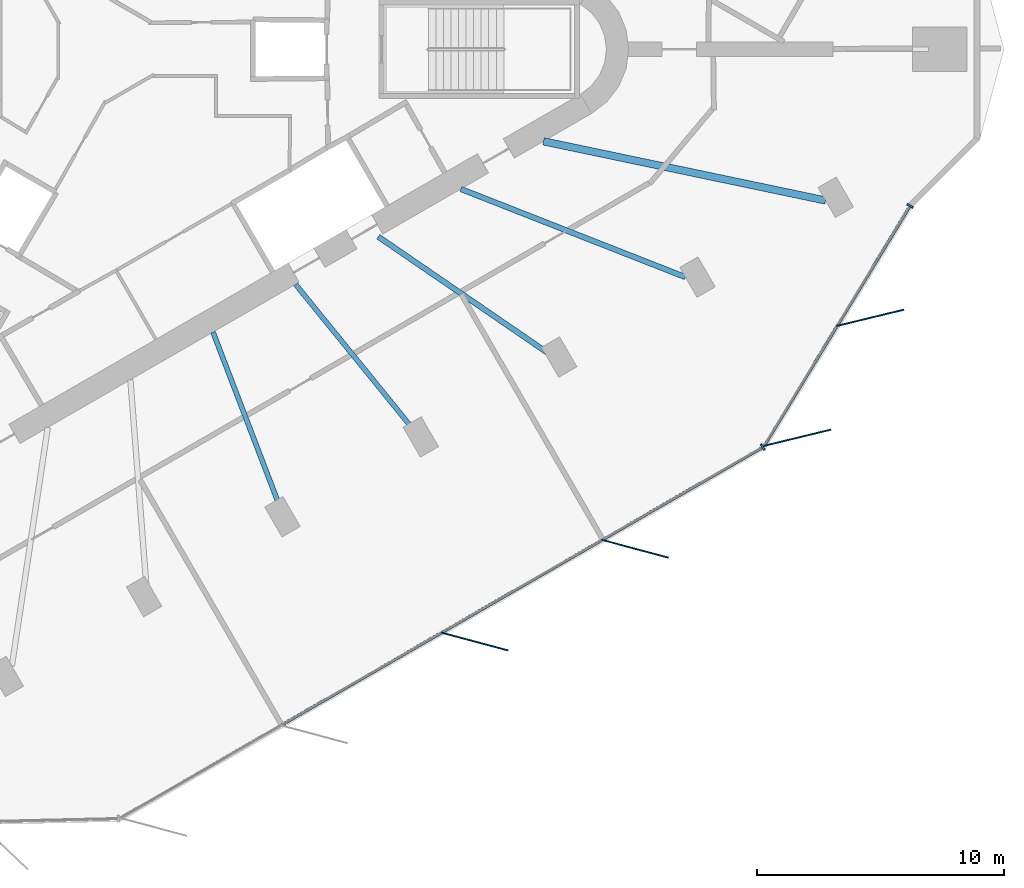
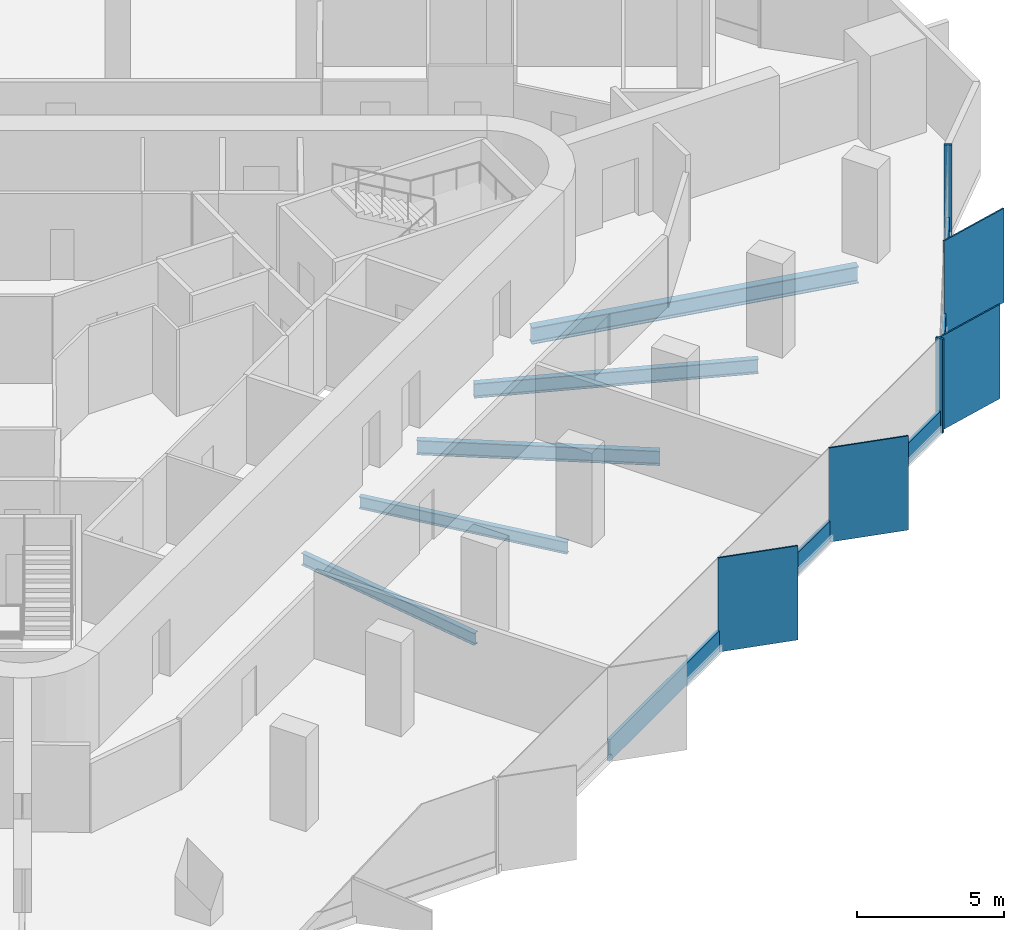
# One storey, part 3 of 12: 11 members, 5 beams, 2 elements without a shape of their own.
"""IFC4 building model written with IfcOpenShell, lengths in metres."""

from ifc_helpers import new_model, si_unit, direction, frame, origin, origin_2d, place, context, subcontext, project, spatial, rectangle, i_section, extrude, material, material_profile, profile_set, type_object, element, aggregate, save


model = new_model("IFC4")

# Units and contexts
model_context = context("Model", 3, precision=1e-05, world=origin(), true_north=direction((0.0, 1.0)))
body_context = subcontext(model_context, "Body", "Model", "MODEL_VIEW")
ifc_project = project(units=[si_unit("LENGTHUNIT", "METRE"), si_unit("AREAUNIT", "SQUARE_METRE"), si_unit("VOLUMEUNIT", "CUBIC_METRE"), si_unit("PLANEANGLEUNIT", "RADIAN"), si_unit("MASSUNIT", "GRAM", prefix="KILO")], contexts=[model_context])

# Site, building, storey
site_placement = place(None, origin())
site = spatial("IfcSite", under=ifc_project, at=site_placement, CompositionType="ELEMENT")
building_placement = place(site_placement, origin())
building = spatial("IfcBuilding", under=site, at=building_placement, Name="Tanit Gate Tower", CompositionType="ELEMENT")
storey_placement = place(building_placement, frame((0.0, 0.0, 333.800048828125)))
storey = spatial("IfcBuildingStorey", under=building, at=storey_placement, Name="L75", CompositionType="ELEMENT", Elevation=333.800048828125)

# Curtain wall, members
ifc_material_1 = material(Name="Aluminium bronze anodised and glass", Category="aluminium")
curtain_wall_type = type_object("IfcCurtainWallType", Name="Curtain wall typical high", PredefinedType="NOTDEFINED", material=ifc_material_1)
curtain_wall_1_placement = place(storey_placement, origin())
curtain_wall_1 = element("IfcCurtainWall", 1, at=curtain_wall_1_placement, inside=storey, type_object=curtain_wall_type, Name="Curtain wall L75 SE2", PredefinedType="NOTDEFINED")
ifc_material_2 = material(Name="Aluminium bronze anodised", Category="aluminium")
ifc_material_profile_1 = material_profile(ifc_material_2, rectangle(XDim=2.800048828125, YDim=0.055908203125, at=origin_2d()), Name="56x2800 bronze fin mullion")
ifc_profile_set_1 = profile_set([ifc_material_profile_1], Name="Aluminium bronze anodised")
member_type_1 = type_object("IfcMemberType", Name="FIN MULLION 56x2800 bronze", PredefinedType="MULLION", material=ifc_profile_set_1)
member_1_placement = place(storey_placement, frame((14.9619140625, -23.963134765625, -0.300048828125), z_axis=(0.0, 0.0, 1.0), x_axis=(-0.965907877772, 0.258886020591, 0.0)))
member_1 = element("IfcMember", 2, at=member_1_placement, type_object=member_type_1, Name="Fin mullion L75 SE2.3", PredefinedType="MULLION", context=body_context, shape_type="SweptSolid", body=[
    extrude(rectangle(XDim=2.800048828125, YDim=0.055908203125, at=origin_2d()), origin(), (0.0, 0.0, 1.0), 3.89990234375),
])
member_2_placement = place(storey_placement, frame((21.4609375, -20.211669921875, -0.300048828125), z_axis=(0.0, 0.0, 1.0), x_axis=(-0.965907877772, 0.258886020591, 0.0)))
member_2 = element("IfcMember", 3, at=member_2_placement, type_object=member_type_1, Name="Fin mullion L75 SE2.4", PredefinedType="MULLION", context=body_context, shape_type="SweptSolid", body=[
    extrude(rectangle(XDim=2.800048828125, YDim=0.055908203125, at=origin_2d()), origin(), (0.0, 0.0, 1.0), 3.89990234375),
])

curtain_wall_2_placement = place(storey_placement, origin())
curtain_wall_2 = element("IfcCurtainWall", 4, at=curtain_wall_2_placement, inside=storey, type_object=curtain_wall_type, Name="Curtain wall L75 SE3", PredefinedType="NOTDEFINED")
member_3_placement = place(storey_placement, frame((28.023193359375, -15.721923828125, -0.300048828125), z_axis=(0.0, 0.0, 1.0), x_axis=(-0.971594708401, -0.236651056638, 0.0)))
member_3 = element("IfcMember", 5, at=member_3_placement, type_object=member_type_1, Name="Fin mullion L75 SE3.1", PredefinedType="MULLION", context=body_context, shape_type="SweptSolid", body=[
    extrude(rectangle(XDim=2.800048828125, YDim=0.055908203125, at=origin_2d()), origin(), (0.0, 0.0, 1.0), 3.89990234375),
])
member_4_placement = place(storey_placement, frame((30.9755859375, -10.867919921875, -0.300048828125), z_axis=(0.0, 0.0, 1.0), x_axis=(-0.971594708401, -0.236651056638, 0.0)))
member_4 = element("IfcMember", 6, at=member_4_placement, type_object=member_type_1, Name="Fin mullion L75 SE3.2", PredefinedType="MULLION", context=body_context, shape_type="SweptSolid", body=[
    extrude(rectangle(XDim=2.800048828125, YDim=0.055908203125, at=origin_2d()), origin(), (0.0, 0.0, 1.0), 3.89990234375),
])

# Member
ifc_material_3 = material(Name="Aluminium bronze anodised", Category="aluminium")
ifc_material_profile_2 = material_profile(ifc_material_3, rectangle(XDim=0.280029296875, YDim=0.080078125, at=origin_2d()), Name="80x280 bronze mullion")
ifc_profile_set_2 = profile_set([ifc_material_profile_2], Name="Aluminium bronze anodised")
member_type_2 = type_object("IfcMemberType", Name="Mullion 80x280 typical high", PredefinedType="MULLION", material=ifc_profile_set_2)
member_5_placement = place(storey_placement, frame((26.626708984375, -16.102783203125, -0.300048828125), z_axis=(0.0, 0.0, 1.0), x_axis=(-0.49993994966, 0.866060071089, 0.0)))
member_5 = element("IfcMember", 7, at=member_5_placement, type_object=member_type_2, Name="Mullion L75 SE2.5", PredefinedType="MULLION", context=body_context, shape_type="SweptSolid", body=[
    extrude(rectangle(XDim=0.280029296875, YDim=0.080078125, at=origin_2d()), origin(), (0.0, 0.0, 1.0), 3.89990234375),
])

member_6_placement = place(storey_placement, frame((32.587158203125, -6.340576171875, -0.300048828125), z_axis=(0.0, 0.0, 1.0), x_axis=(-0.854358773799, 0.519683639951, 0.0)))
member_6 = element("IfcMember", 8, at=member_6_placement, type_object=member_type_2, Name="Mullion L75 SE3.3", PredefinedType="MULLION", context=body_context, shape_type="SweptSolid", body=[
    extrude(rectangle(XDim=0.280029296875, YDim=0.080078125, at=origin_2d()), origin(), (0.0, 0.0, 1.0), 3.89990234375),
])

# Beams
ifc_material_4 = material(Name="Steel S355", Category="steel")
ifc_material_profile_3 = material_profile(ifc_material_4, i_section(OverallWidth=0.300048828125, OverallDepth=0.68994140625, WebThickness=0.014404296875, FlangeThickness=0.027099609375, FilletRadius=0.027099609375, at=origin_2d()), Name="HEA 700")
ifc_profile_set_3 = profile_set([ifc_material_profile_3], Name="Steel S355")
beam_type_1 = type_object("IfcBeamType", Name="RADIAL GIRDER HEA 700 S355", PredefinedType="BEAM", material=ifc_profile_set_3)
beam_1_placement = place(storey_placement, frame((29.166015625, -6.119873046875, -0.64501953125), z_axis=(-0.978685947047, 0.205362647655, 0.0), x_axis=(-0.205362647655, -0.978685947047, 0.0)))
element("IfcBeam", 9, at=beam_1_placement, inside=storey, type_object=beam_type_1, Name="RADIAL GIRDER", PredefinedType="BEAM", context=body_context, shape_type="SweptSolid", body=[
    extrude(i_section(OverallWidth=0.300048828125, OverallDepth=0.68994140625, WebThickness=0.014404296875, FlangeThickness=0.027099609375, FilletRadius=0.027099609375, at=origin_2d()), origin(), (0.0, 0.0, 1.0), 11.662353515625),
])
ifc_material_5 = material(Name="Steel S355", Category="steel")
ifc_material_profile_4 = material_profile(ifc_material_5, i_section(OverallWidth=0.199951171875, OverallDepth=0.5, WebThickness=0.01025390625, FlangeThickness=0.01611328125, FilletRadius=0.02099609375, at=origin_2d()), Name="IPE 500")
ifc_profile_set_4 = profile_set([ifc_material_profile_4], Name="Steel S355")
beam_type_2 = type_object("IfcBeamType", Name="RADIAL GIRDER IPE 500 S355", PredefinedType="BEAM", material=ifc_profile_set_4)
for number, where, z_axis, x_axis, name in (
    (10, (7.07958984375, -18.502685546875, -0.550048828125), (-0.357365465254, 0.93396462687, 0.0), (-0.93396462687, -0.357365465254, 0.0), "RADIAL GIRDER"),
    (11, (12.484130859375, -15.38232421875, -0.550048828125), (-0.630160700976, 0.776464739023, 0.0), (-0.776464739023, -0.630160700976, 0.0), "RADIAL GIRDER"),
):
    element("IfcBeam", number, at=place(storey_placement, frame(where, z_axis=z_axis, x_axis=x_axis)), inside=storey, type_object=beam_type_2, Name=name, PredefinedType="BEAM", context=body_context, shape_type="SweptSolid", body=[
        extrude(i_section(OverallWidth=0.199951171875, OverallDepth=0.5, WebThickness=0.01025390625, FlangeThickness=0.01611328125, FilletRadius=0.02099609375, at=origin_2d()), origin(), (0.0, 0.0, 1.0), 7.555908203125),
    ])
ifc_material_6 = material(Name="Steel S355", Category="steel")
ifc_material_profile_5 = material_profile(ifc_material_6, i_section(OverallWidth=0.219970703125, OverallDepth=0.60009765625, WebThickness=0.011962890625, FlangeThickness=0.01904296875, FilletRadius=0.02392578125, at=origin_2d()), Name="IPE 600")
ifc_profile_set_5 = profile_set([ifc_material_profile_5], Name="Steel S355")
beam_type_3 = type_object("IfcBeamType", Name="RADIAL GIRDER IPE 600 S355", PredefinedType="BEAM", material=ifc_profile_set_5)
beam_2_placement = place(storey_placement, frame((17.888671875, -12.26220703125, -0.60009765625), z_axis=(-0.824811044423, 0.565408472698, 0.0), x_axis=(-0.565408472698, -0.824811044423, 0.0)))
element("IfcBeam", 12, at=beam_2_placement, inside=storey, type_object=beam_type_3, Name="RADIAL GIRDER", PredefinedType="BEAM", context=body_context, shape_type="SweptSolid", body=[
    extrude(i_section(OverallWidth=0.219970703125, OverallDepth=0.60009765625, WebThickness=0.011962890625, FlangeThickness=0.01904296875, FilletRadius=0.02392578125, at=origin_2d()), origin(), (0.0, 0.0, 1.0), 8.27197265625),
])
beam_3_placement = place(storey_placement, frame((23.4921875, -9.219970703125, -0.60009765625), z_axis=(-0.930869443065, 0.365351994614, 0.0), x_axis=(-0.365351994614, -0.930869443065, 0.0)))
element("IfcBeam", 13, at=beam_3_placement, inside=storey, type_object=beam_type_3, Name="RADIAL GIRDER", PredefinedType="BEAM", context=body_context, shape_type="SweptSolid", body=[
    extrude(i_section(OverallWidth=0.219970703125, OverallDepth=0.60009765625, WebThickness=0.011962890625, FlangeThickness=0.01904296875, FilletRadius=0.02392578125, at=origin_2d()), origin(), (0.0, 0.0, 1.0), 9.757568359375),
])

# Member
ifc_material_7 = material(Name="Aluminium bronze anodised", Category="aluminium")
ifc_material_profile_6 = material_profile(ifc_material_7, rectangle(XDim=0.1201171875, YDim=0.89990234375, at=origin_2d()), Name="120x900 bronze transom")
ifc_profile_set_6 = profile_set([ifc_material_profile_6], Name="Aluminium bronze anodised")
member_type_3 = type_object("IfcMemberType", Name="Transom 120x900 typical high", PredefinedType="USERDEFINED", material=ifc_profile_set_6)
member_7_placement = place(storey_placement, frame((7.16455078125, -27.33740234375, 0.14990234375), z_axis=(0.866069496621, 0.499923621189, 0.0), x_axis=(-0.499923621189, 0.866069496621, 0.0)))
member_7 = element("IfcMember", 14, at=member_7_placement, type_object=member_type_3, Name="Transom L75 SE2.2", ObjectType="TRANSOM", PredefinedType="USERDEFINED", context=body_context, shape_type="SweptSolid", body=[
    extrude(rectangle(XDim=0.1201171875, YDim=0.89990234375, at=origin_2d()), origin(), (0.0, 0.0, 1.0), 7.424072265625),
])

member_8_placement = place(storey_placement, frame((13.66357421875, -23.5859375, 0.14990234375), z_axis=(0.866047038303, 0.499962526042, 0.0), x_axis=(-0.499962526042, 0.866047038303, 0.0)))
member_8 = element("IfcMember", 15, at=member_8_placement, type_object=member_type_3, Name="Transom L75 SE2.3", ObjectType="TRANSOM", PredefinedType="USERDEFINED", context=body_context, shape_type="SweptSolid", body=[
    extrude(rectangle(XDim=0.1201171875, YDim=0.89990234375, at=origin_2d()), origin(), (0.0, 0.0, 1.0), 7.423828125),
])

member_9_placement = place(storey_placement, frame((20.162353515625, -19.834228515625, 0.14990234375), z_axis=(0.866069496621, 0.499923621189, 0.0), x_axis=(-0.499923621189, 0.866069496621, 0.0)))
member_9 = element("IfcMember", 16, at=member_9_placement, type_object=member_type_3, Name="Transom L75 SE2.4", ObjectType="TRANSOM", PredefinedType="USERDEFINED", context=body_context, shape_type="SweptSolid", body=[
    extrude(rectangle(XDim=0.1201171875, YDim=0.89990234375, at=origin_2d()), origin(), (0.0, 0.0, 1.0), 7.424072265625),
])

aggregate(curtain_wall_1, [member_1, member_2, member_5, member_7, member_8, member_9])

member_10_placement = place(storey_placement, frame((26.702880859375, -16.014404296875, 0.14990234375), z_axis=(0.51970357306, 0.854346648702, 0.0), x_axis=(-0.854346648702, 0.51970357306, 0.0)))
member_10 = element("IfcMember", 17, at=member_10_placement, type_object=member_type_3, Name="Transom L75 SE3.1", ObjectType="TRANSOM", PredefinedType="USERDEFINED", context=body_context, shape_type="SweptSolid", body=[
    extrude(rectangle(XDim=0.1201171875, YDim=0.89990234375, at=origin_2d()), origin(), (0.0, 0.0, 1.0), 5.6015625),
])

member_11_placement = place(storey_placement, frame((29.655517578125, -11.160400390625, 0.14990234375), z_axis=(0.519671759173, 0.854366000446, 0.0), x_axis=(-0.854366000446, 0.519671759173, 0.0)))
member_11 = element("IfcMember", 18, at=member_11_placement, type_object=member_type_3, Name="Transom L75 SE3.2", ObjectType="TRANSOM", PredefinedType="USERDEFINED", context=body_context, shape_type="SweptSolid", body=[
    extrude(rectangle(XDim=0.1201171875, YDim=0.89990234375, at=origin_2d()), origin(), (0.0, 0.0, 1.0), 5.601318359375),
])

aggregate(curtain_wall_2, [member_3, member_4, member_6, member_10, member_11])

save(model, "model.ifc")
